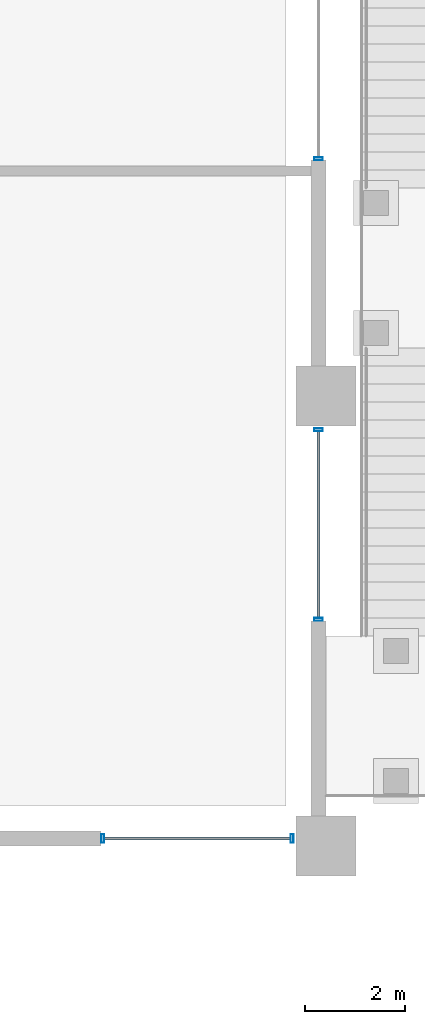
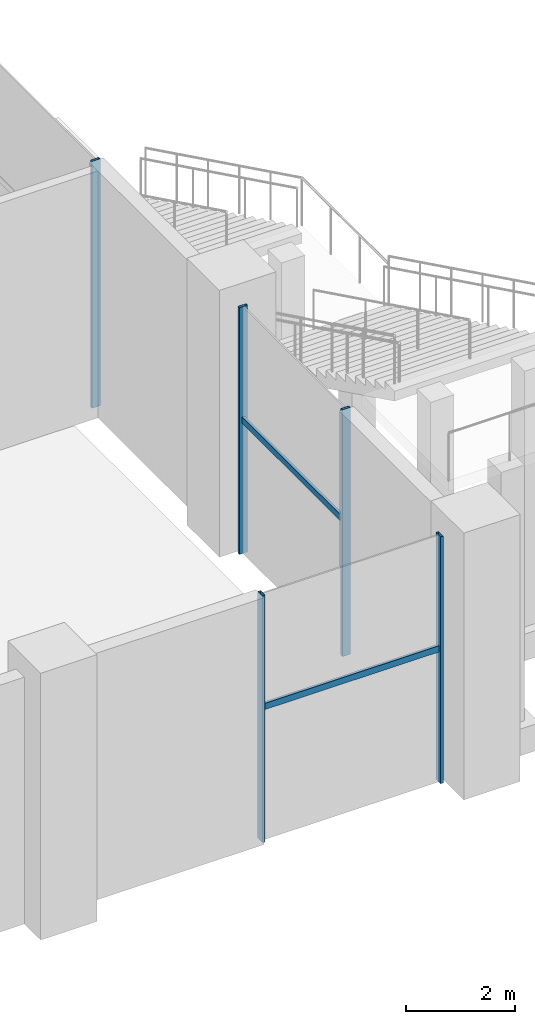
# One storey, part 16 of 68: 7 members, 3 elements without a shape of their own.
"""IFC4 building model written with IfcOpenShell, lengths in metres."""

from ifc_helpers import new_model, si_unit, direction, frame, origin, origin_2d, place, context, subcontext, project, spatial, hollow_rectangle, extrude, material, material_profile, profile_set, type_object, element, aggregate, save


model = new_model("IFC4")

# Units and contexts
model_context = context("Model", 3, precision=1e-05, world=origin(), true_north=direction((0.0, 1.0)))
body_context = subcontext(model_context, "Body", "Model", "MODEL_VIEW")
ifc_project = project(units=[si_unit("LENGTHUNIT", "METRE"), si_unit("AREAUNIT", "SQUARE_METRE"), si_unit("VOLUMEUNIT", "CUBIC_METRE"), si_unit("PLANEANGLEUNIT", "RADIAN"), si_unit("MASSUNIT", "GRAM", prefix="KILO")], contexts=[model_context])

# Site, building, storey
site_placement = place(None, origin())
site = spatial("IfcSite", under=ifc_project, at=site_placement, CompositionType="ELEMENT")
building_placement = place(site_placement, origin())
building = spatial("IfcBuilding", under=site, at=building_placement, Name="Altepetl Exchange Towers", CompositionType="ELEMENT")
storey_placement = place(building_placement, origin())
storey = spatial("IfcBuildingStorey", under=building, at=storey_placement, Name="L00 Ground concourse", CompositionType="ELEMENT", Elevation=0.0)

# Curtain wall, members
ifc_material_1 = material(Name="Aluminium 6063-T6 glazing", Category="aluminium")
curtain_wall_type = type_object("IfcCurtainWallType", Name="Podium storefront system", PredefinedType="NOTDEFINED", material=ifc_material_1)
curtain_wall_1_placement = place(storey_placement, origin())
curtain_wall_1 = element("IfcCurtainWall", 1, at=curtain_wall_1_placement, inside=storey, type_object=curtain_wall_type, Name="CW5 run", PredefinedType="NOTDEFINED")
ifc_material_2 = material(Name="Aluminium 6063-T6", Category="aluminium")
ifc_material_profile_1 = material_profile(ifc_material_2, hollow_rectangle(XDim=0.06005859375, YDim=0.175048828125, WallThickness=0.0029296875, at=origin_2d()), Name="Mullion 60x175 aluminium")
ifc_profile_set_1 = profile_set([ifc_material_profile_1], Name="Aluminium 6063-T6")
member_type_1 = type_object("IfcMemberType", Name="Mullion 60x175 aluminium", PredefinedType="MULLION", material=ifc_profile_set_1)
member_1_placement = place(storey_placement, frame((148.530029296875, 0.14990234375, 0.0)))
member_1 = element("IfcMember", 2, at=member_1_placement, type_object=member_type_1, Name="MU4 mullion", PredefinedType="MULLION", context=body_context, shape_type="SweptSolid", body=[
    extrude(hollow_rectangle(XDim=0.06005859375, YDim=0.175048828125, WallThickness=0.0029296875, at=origin_2d()), origin(), (0.0, 0.0, 1.0), 5.550048828125),
])
member_2_placement = place(storey_placement, frame((152.320068359375, 0.14990234375, 0.0)))
member_2 = element("IfcMember", 3, at=member_2_placement, type_object=member_type_1, Name="MU4 mullion", PredefinedType="MULLION", context=body_context, shape_type="SweptSolid", body=[
    extrude(hollow_rectangle(XDim=0.06005859375, YDim=0.175048828125, WallThickness=0.0029296875, at=origin_2d()), origin(), (0.0, 0.0, 1.0), 5.550048828125),
])

curtain_wall_2_placement = place(storey_placement, origin())
curtain_wall_2 = element("IfcCurtainWall", 4, at=curtain_wall_2_placement, inside=storey, type_object=curtain_wall_type, Name="CW5 run", PredefinedType="NOTDEFINED")
member_3_placement = place(storey_placement, frame((152.85009765625, 4.530029296875, 0.0), z_axis=(0.0, 0.0, 1.0), x_axis=(0.0, 1.0, 0.0)))
member_3 = element("IfcMember", 5, at=member_3_placement, type_object=member_type_1, Name="MU4 mullion", PredefinedType="MULLION", context=body_context, shape_type="SweptSolid", body=[
    extrude(hollow_rectangle(XDim=0.06005859375, YDim=0.175048828125, WallThickness=0.0029296875, at=origin_2d()), origin(), (0.0, 0.0, 1.0), 5.550048828125),
])
member_4_placement = place(storey_placement, frame((152.85009765625, 8.320068359375, 0.0), z_axis=(0.0, 0.0, 1.0), x_axis=(0.0, 1.0, 0.0)))
member_4 = element("IfcMember", 6, at=member_4_placement, type_object=member_type_1, Name="MU4 mullion", PredefinedType="MULLION", context=body_context, shape_type="SweptSolid", body=[
    extrude(hollow_rectangle(XDim=0.06005859375, YDim=0.175048828125, WallThickness=0.0029296875, at=origin_2d()), origin(), (0.0, 0.0, 1.0), 5.550048828125),
])

# Curtain wall, member
curtain_wall_3_placement = place(storey_placement, origin())
curtain_wall_3 = element("IfcCurtainWall", 7, at=curtain_wall_3_placement, inside=storey, type_object=curtain_wall_type, Name="CW5 run", PredefinedType="NOTDEFINED")
member_5_placement = place(storey_placement, frame((152.85009765625, 13.74658203125, 0.0), z_axis=(0.0, 0.0, 1.0), x_axis=(0.0, 1.0, 0.0)))
member_5 = element("IfcMember", 8, at=member_5_placement, type_object=member_type_1, Name="MU4 mullion", PredefinedType="MULLION", context=body_context, shape_type="SweptSolid", body=[
    extrude(hollow_rectangle(XDim=0.06005859375, YDim=0.175048828125, WallThickness=0.0029296875, at=origin_2d()), origin(), (0.0, 0.0, 1.0), 5.550048828125),
])
aggregate(curtain_wall_3, [member_5])

# Member
ifc_material_profile_2 = material_profile(ifc_material_2, hollow_rectangle(XDim=0.06005859375, YDim=0.139892578125, WallThickness=0.0029296875, at=origin_2d()), Name="Transom 60x140 aluminium")
ifc_profile_set_2 = profile_set([ifc_material_profile_2], Name="Aluminium 6063-T6")
member_type_2 = type_object("IfcMemberType", Name="Transom 60x140 aluminium", PredefinedType="USERDEFINED", material=ifc_profile_set_2)
member_6_placement = place(storey_placement, frame((148.56005859375, 0.14990234375, 3.0), z_axis=(1.0, 0.0, 0.0), x_axis=(0.0, 1.0, 0.0)))
member_6 = element("IfcMember", 9, at=member_6_placement, type_object=member_type_2, Name="TR3 transom", ObjectType="TRANSOM", PredefinedType="USERDEFINED", context=body_context, shape_type="SweptSolid", body=[
    extrude(hollow_rectangle(XDim=0.06005859375, YDim=0.139892578125, WallThickness=0.0029296875, at=origin_2d()), origin(), (0.0, 0.0, 1.0), 3.72998046875),
])

aggregate(curtain_wall_1, [member_1, member_2, member_6])

member_7_placement = place(storey_placement, frame((152.85009765625, 4.56005859375, 3.0), z_axis=(0.0, 1.0, 0.0), x_axis=(-1.0, 0.0, 0.0)))
member_7 = element("IfcMember", 10, at=member_7_placement, type_object=member_type_2, Name="TR3 transom", ObjectType="TRANSOM", PredefinedType="USERDEFINED", context=body_context, shape_type="SweptSolid", body=[
    extrude(hollow_rectangle(XDim=0.06005859375, YDim=0.139892578125, WallThickness=0.0029296875, at=origin_2d()), origin(), (0.0, 0.0, 1.0), 3.72998046875),
])

aggregate(curtain_wall_2, [member_3, member_4, member_7])

save(model, "model.ifc")
